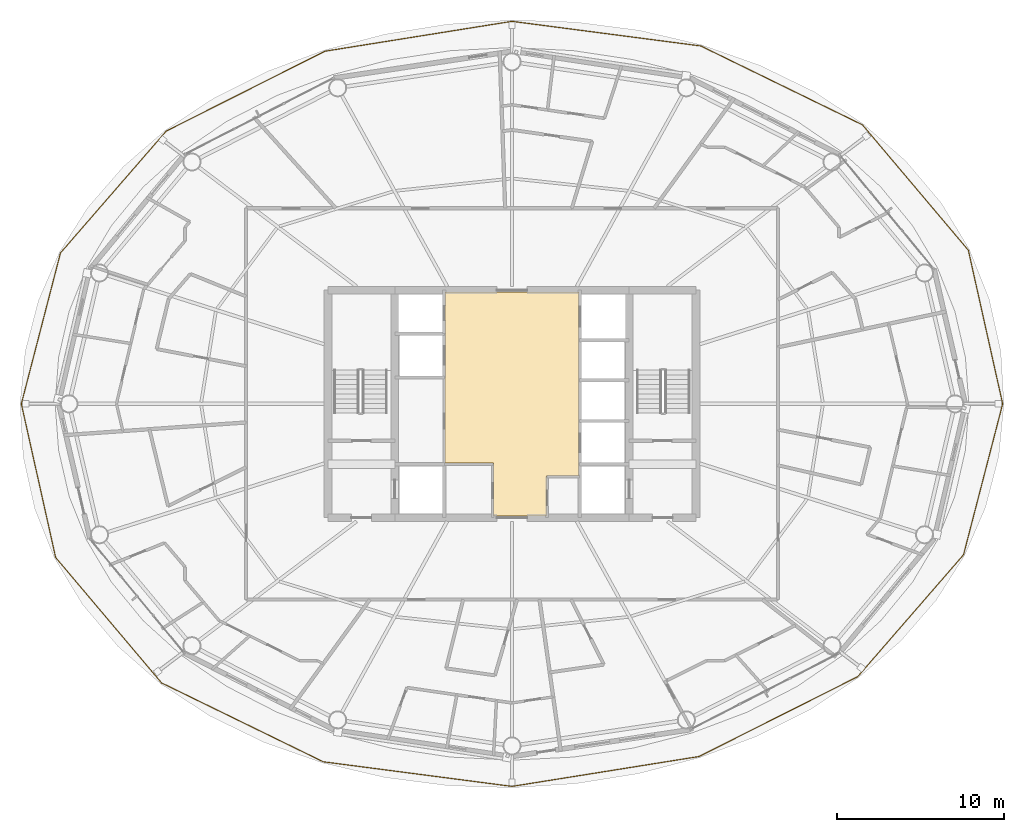
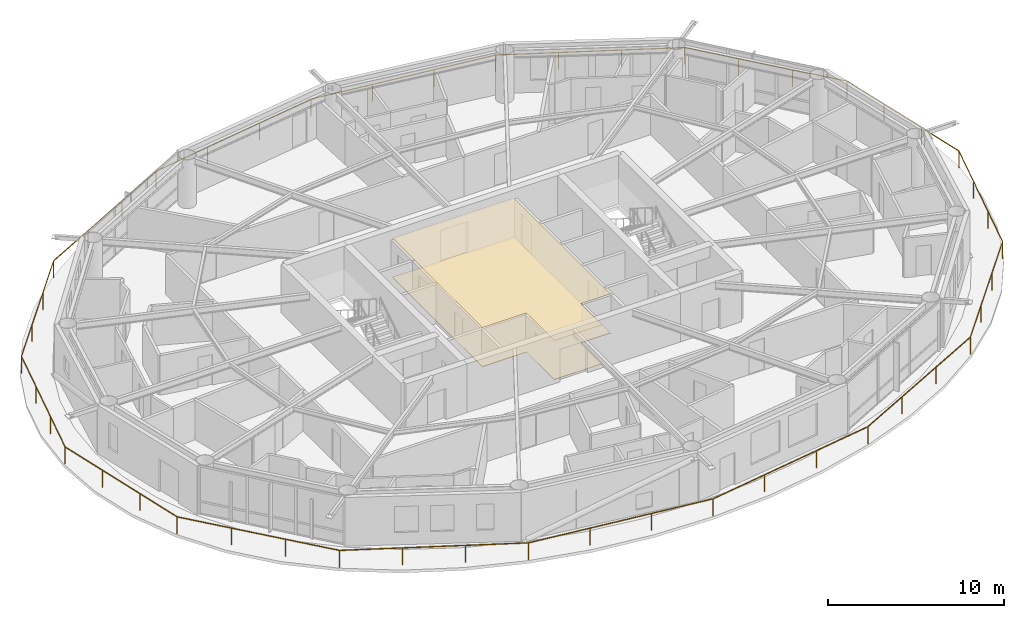
# One storey, part 29 of 30: 2 coverings, 1 railing.
"""IFC4 building model written with IfcOpenShell, lengths in metres."""

from ifc_helpers import new_model, si_unit, direction, frame, origin, origin_2d, place, context, subcontext, project, spatial, polyline, rectangle, outline, extrude, material, layer, layer_set, type_object, element, save


model = new_model("IFC4")

# Units and contexts
model_context = context("Model", 3, precision=1e-05, world=origin(), true_north=direction((0.0, 1.0)))
body_context = subcontext(model_context, "Body", "Model", "MODEL_VIEW")
ifc_project = project(units=[si_unit("LENGTHUNIT", "METRE"), si_unit("AREAUNIT", "SQUARE_METRE"), si_unit("VOLUMEUNIT", "CUBIC_METRE"), si_unit("PLANEANGLEUNIT", "RADIAN"), si_unit("MASSUNIT", "GRAM", prefix="KILO")], contexts=[model_context])

# Site, building, storey
site_placement = place(None, origin())
site = spatial("IfcSite", under=ifc_project, at=site_placement, CompositionType="ELEMENT")
building_placement = place(site_placement, origin())
building = spatial("IfcBuilding", under=site, at=building_placement, Name="Sarneth Arch Tower", CompositionType="ELEMENT")
storey_placement = place(building_placement, frame((0.0, 0.0, 168.60009765625)))
storey = spatial("IfcBuildingStorey", under=building, at=storey_placement, Name="L42", CompositionType="ELEMENT", Elevation=168.60009765625)

# Coverings
ifc_material_1 = material(Name="Perforated acoustic gypsum ceiling board")
ifc_layer_1 = layer(ifc_material_1, 0.02490234375)
ifc_layer_set_1 = layer_set([ifc_layer_1], Name="Perforated acoustic gypsum ceiling board")
covering_type_1 = type_object("IfcCoveringType", Name="COV-CEIL-GYP", PredefinedType="CEILING", material=ifc_layer_set_1)
covering_1_placement = place(storey_placement, frame((0.0, 0.0, 2.7099609375)))
element("IfcCovering", 1, at=covering_1_placement, inside=storey, type_object=covering_type_1, Name="L42 Lift lobby acoustic ceiling", PredefinedType="CEILING", context=body_context, shape_type="SweptSolid", body=[
    extrude(outline(polyline([(52.0, 37.699951171875), (50.050048828125, 37.699951171875), (50.050048828125, 35.300048828125), (46.89990234375, 35.300048828125), (46.89990234375, 38.449951171875), (44.0, 38.449951171875), (44.0, 48.699951171875), (52.0, 48.699951171875), (52.0, 37.699951171875)])), origin(), (0.0, 0.0, 1.0), 0.030029296875),
])
ifc_material_2 = material(Name="Honed granite stone flooring", Category="masonry")
ifc_layer_2 = layer(ifc_material_2, 0.030029296875)
ifc_layer_set_2 = layer_set([ifc_layer_2], Name="Honed granite stone flooring")
covering_type_2 = type_object("IfcCoveringType", Name="COV-FLR-STONE", PredefinedType="FLOORING", material=ifc_layer_set_2)
covering_2_placement = place(storey_placement, origin())
element("IfcCovering", 2, at=covering_2_placement, inside=storey, type_object=covering_type_2, Name="L42 Lift lobby granite flooring", PredefinedType="FLOORING", context=body_context, shape_type="SweptSolid", body=[
    extrude(outline(polyline([(52.0, 37.699951171875), (50.050048828125, 37.699951171875), (50.050048828125, 35.300048828125), (46.89990234375, 35.300048828125), (46.89990234375, 38.449951171875), (44.0, 38.449951171875), (44.0, 48.699951171875), (52.0, 48.699951171875), (52.0, 37.699951171875)])), origin(), (0.0, 0.0, 1.0), 0.02978515625),
])

# Railing
ifc_material_3 = material(Name="Laminated structural glass infill with Stainless Steel 316 top rail and posts", Category="steel")
railing_type = type_object("IfcRailingType", Name="RAIL-BALC-1200", PredefinedType="BALUSTRADE", material=ifc_material_3)
railing_placement = place(storey_placement, frame((77.333984375, 42.0, 0.0)))
element("IfcRailing", 3, at=railing_placement, inside=storey, type_object=railing_type, Name="L42 Helical balcony glass balustrade", PredefinedType="BALUSTRADE", context=body_context, shape_type="SweptSolid", body=[
    extrude(rectangle(XDim=0.048095703125, YDim=0.048095703125, at=origin_2d()), frame((0.0, 0.0, 1.17578125), z_axis=(-0.217985201652, 0.975952074572, 0.0), x_axis=(-0.975952074572, -0.217985201652, 0.0)), (0.0, 0.0, 1.0), 9.41015625),
    extrude(rectangle(XDim=0.048095703125, YDim=0.048095703125, at=origin_2d()), frame((-2.05126953125, 9.183837890625, 1.17578125), z_axis=(-0.645176945551, 0.764033185752, 0.0), x_axis=(-0.764033185752, -0.645176945551, 0.0)), (0.0, 0.0, 1.0), 9.814453125),
    extrude(rectangle(XDim=0.048095703125, YDim=0.048095703125, at=origin_2d()), frame((-8.38330078125, 16.682373046875, 1.17578125), z_axis=(-0.898770627685, 0.438419158809, 0.0), x_axis=(-0.438419158809, -0.898770627685, 0.0)), (0.0, 0.0, 1.0), 10.753173828125),
    extrude(rectangle(XDim=0.048095703125, YDim=0.048095703125, at=origin_2d()), frame((-18.0478515625, 21.396728515625, 1.17578125), z_axis=(-0.991596942127, 0.129365777407, 0.0), x_axis=(-0.129365777407, -0.991596942127, 0.0)), (0.0, 0.0, 1.0), 11.3818359375),
    extrude(rectangle(XDim=0.048095703125, YDim=0.048095703125, at=origin_2d()), frame((-29.333984375, 22.869140625, 1.17578125), z_axis=(-0.98746925952, -0.157811474564, 0.0), x_axis=(0.157811474564, -0.98746925952, 0.0)), (0.0, 0.0, 1.0), 11.328857421875),
    extrude(rectangle(XDim=0.048095703125, YDim=0.048095703125, at=origin_2d()), frame((-40.52099609375, 21.081298828125, 1.17578125), z_axis=(-0.89324658743, -0.449567051779, 0.0), x_axis=(0.449567051779, -0.89324658743, 0.0)), (0.0, 0.0, 1.0), 10.61572265625),
    extrude(rectangle(XDim=0.048095703125, YDim=0.048095703125, at=origin_2d()), frame((-50.00341796875, 16.308837890625, 1.17578125), z_axis=(-0.655538212391, -0.755162003874, 0.0), x_axis=(0.755162003874, -0.655538212391, 0.0)), (0.0, 0.0, 1.0), 9.648193359375),
    extrude(rectangle(XDim=0.048095703125, YDim=0.048095703125, at=origin_2d()), frame((-56.328125, 9.02294921875, 1.17578125), z_axis=(-0.251018513664, -0.967982285891, 0.0), x_axis=(0.967982285891, -0.251018513664, 0.0)), (0.0, 0.0, 1.0), 9.3212890625),
    extrude(rectangle(XDim=0.048095703125, YDim=0.048095703125, at=origin_2d()), frame((-58.66796875, 0.0, 1.17578125), z_axis=(0.217985201652, -0.975952074572, 0.0), x_axis=(0.975952074572, 0.217985201652, 0.0)), (0.0, 0.0, 1.0), 9.41015625),
    extrude(rectangle(XDim=0.048095703125, YDim=0.048095703125, at=origin_2d()), frame((-56.61669921875, -9.183837890625, 1.17578125), z_axis=(0.645176945551, -0.764033185752, 0.0), x_axis=(0.764033185752, 0.645176945551, 0.0)), (0.0, 0.0, 1.0), 9.814453125),
    extrude(rectangle(XDim=0.048095703125, YDim=0.048095703125, at=origin_2d()), frame((-50.28466796875, -16.682373046875, 1.17578125), z_axis=(0.898770627685, -0.438419158809, 0.0), x_axis=(0.438419158809, 0.898770627685, 0.0)), (0.0, 0.0, 1.0), 10.753173828125),
    extrude(rectangle(XDim=0.048095703125, YDim=0.048095703125, at=origin_2d()), frame((-40.6201171875, -21.396728515625, 1.17578125), z_axis=(0.991596942127, -0.129365777407, 0.0), x_axis=(0.129365777407, 0.991596942127, 0.0)), (0.0, 0.0, 1.0), 11.3818359375),
    extrude(rectangle(XDim=0.048095703125, YDim=0.048095703125, at=origin_2d()), frame((-29.333984375, -22.869140625, 1.17578125), z_axis=(0.98746925952, 0.157811474564, 0.0), x_axis=(-0.157811474564, 0.98746925952, 0.0)), (0.0, 0.0, 1.0), 11.328857421875),
    extrude(rectangle(XDim=0.048095703125, YDim=0.048095703125, at=origin_2d()), frame((-18.14697265625, -21.081298828125, 1.17578125), z_axis=(0.89324658743, 0.449567051779, 0.0), x_axis=(-0.449567051779, 0.89324658743, 0.0)), (0.0, 0.0, 1.0), 10.61572265625),
    extrude(rectangle(XDim=0.048095703125, YDim=0.048095703125, at=origin_2d()), frame((-8.66455078125, -16.308837890625, 1.17578125), z_axis=(0.655538212391, 0.755162003874, 0.0), x_axis=(-0.755162003874, 0.655538212391, 0.0)), (0.0, 0.0, 1.0), 9.648193359375),
    extrude(rectangle(XDim=0.048095703125, YDim=0.048095703125, at=origin_2d()), frame((-2.33984375, -9.02294921875, 1.17578125), z_axis=(0.251018513664, 0.967982285891, 0.0), x_axis=(-0.967982285891, 0.251018513664, 0.0)), (0.0, 0.0, 1.0), 9.3212890625),
    extrude(rectangle(XDim=0.0419921875, YDim=0.0419921875, at=origin_2d()), origin(), (0.0, 0.0, 1.0), 1.15185546875),
    extrude(rectangle(XDim=0.0419921875, YDim=0.0419921875, at=origin_2d()), frame((-0.683837890625, 3.061279296875, 0.0)), (0.0, 0.0, 1.0), 1.15185546875),
    extrude(rectangle(XDim=0.0419921875, YDim=0.0419921875, at=origin_2d()), frame((-1.367431640625, 6.12255859375, 0.0)), (0.0, 0.0, 1.0), 1.15185546875),
    extrude(rectangle(XDim=0.0419921875, YDim=0.0419921875, at=origin_2d()), frame((-2.05126953125, 9.183837890625, 0.0)), (0.0, 0.0, 1.0), 1.15185546875),
    extrude(rectangle(XDim=0.0419921875, YDim=0.0419921875, at=origin_2d()), frame((-4.161865234375, 11.683349609375, 0.0)), (0.0, 0.0, 1.0), 1.15185546875),
    extrude(rectangle(XDim=0.0419921875, YDim=0.0419921875, at=origin_2d()), frame((-6.272705078125, 14.182861328125, 0.0)), (0.0, 0.0, 1.0), 1.15185546875),
    extrude(rectangle(XDim=0.0419921875, YDim=0.0419921875, at=origin_2d()), frame((-8.38330078125, 16.682373046875, 0.0)), (0.0, 0.0, 1.0), 1.15185546875),
    extrude(rectangle(XDim=0.0419921875, YDim=0.0419921875, at=origin_2d()), frame((-11.604736328125, 18.25390625, 0.0)), (0.0, 0.0, 1.0), 1.15185546875),
    extrude(rectangle(XDim=0.0419921875, YDim=0.0419921875, at=origin_2d()), frame((-14.826416015625, 19.8251953125, 0.0)), (0.0, 0.0, 1.0), 1.15185546875),
    extrude(rectangle(XDim=0.0419921875, YDim=0.0419921875, at=origin_2d()), frame((-18.0478515625, 21.396728515625, 0.0)), (0.0, 0.0, 1.0), 1.15185546875),
    extrude(rectangle(XDim=0.0419921875, YDim=0.0419921875, at=origin_2d()), frame((-21.809814453125, 21.887451171875, 0.0)), (0.0, 0.0, 1.0), 1.15185546875),
    extrude(rectangle(XDim=0.0419921875, YDim=0.0419921875, at=origin_2d()), frame((-25.572021484375, 22.37841796875, 0.0)), (0.0, 0.0, 1.0), 1.15185546875),
    extrude(rectangle(XDim=0.0419921875, YDim=0.0419921875, at=origin_2d()), frame((-29.333984375, 22.869140625, 0.0)), (0.0, 0.0, 1.0), 1.15185546875),
    extrude(rectangle(XDim=0.0419921875, YDim=0.0419921875, at=origin_2d()), frame((-33.06298828125, 22.273193359375, 0.0)), (0.0, 0.0, 1.0), 1.15185546875),
    extrude(rectangle(XDim=0.0419921875, YDim=0.0419921875, at=origin_2d()), frame((-36.7919921875, 21.67724609375, 0.0)), (0.0, 0.0, 1.0), 1.15185546875),
    extrude(rectangle(XDim=0.0419921875, YDim=0.0419921875, at=origin_2d()), frame((-40.52099609375, 21.081298828125, 0.0)), (0.0, 0.0, 1.0), 1.15185546875),
    extrude(rectangle(XDim=0.0419921875, YDim=0.0419921875, at=origin_2d()), frame((-43.681884765625, 19.490478515625, 0.0)), (0.0, 0.0, 1.0), 1.15185546875),
    extrude(rectangle(XDim=0.0419921875, YDim=0.0419921875, at=origin_2d()), frame((-46.842529296875, 17.899658203125, 0.0)), (0.0, 0.0, 1.0), 1.15185546875),
    extrude(rectangle(XDim=0.0419921875, YDim=0.0419921875, at=origin_2d()), frame((-50.00341796875, 16.308837890625, 0.0)), (0.0, 0.0, 1.0), 1.15185546875),
    extrude(rectangle(XDim=0.0419921875, YDim=0.0419921875, at=origin_2d()), frame((-52.111572265625, 13.880126953125, 0.0)), (0.0, 0.0, 1.0), 1.15185546875),
    extrude(rectangle(XDim=0.0419921875, YDim=0.0419921875, at=origin_2d()), frame((-54.219970703125, 11.45166015625, 0.0)), (0.0, 0.0, 1.0), 1.15185546875),
    extrude(rectangle(XDim=0.0419921875, YDim=0.0419921875, at=origin_2d()), frame((-56.328125, 9.02294921875, 0.0)), (0.0, 0.0, 1.0), 1.15185546875),
    extrude(rectangle(XDim=0.0419921875, YDim=0.0419921875, at=origin_2d()), frame((-57.108154296875, 6.015380859375, 0.0)), (0.0, 0.0, 1.0), 1.15185546875),
    extrude(rectangle(XDim=0.0419921875, YDim=0.0419921875, at=origin_2d()), frame((-57.887939453125, 3.007568359375, 0.0)), (0.0, 0.0, 1.0), 1.15185546875),
    extrude(rectangle(XDim=0.0419921875, YDim=0.0419921875, at=origin_2d()), frame((-58.66796875, 0.0, 0.0)), (0.0, 0.0, 1.0), 1.15185546875),
    extrude(rectangle(XDim=0.0419921875, YDim=0.0419921875, at=origin_2d()), frame((-57.984130859375, -3.061279296875, 0.0)), (0.0, 0.0, 1.0), 1.15185546875),
    extrude(rectangle(XDim=0.0419921875, YDim=0.0419921875, at=origin_2d()), frame((-57.300537109375, -6.12255859375, 0.0)), (0.0, 0.0, 1.0), 1.15185546875),
    extrude(rectangle(XDim=0.0419921875, YDim=0.0419921875, at=origin_2d()), frame((-56.61669921875, -9.183837890625, 0.0)), (0.0, 0.0, 1.0), 1.15185546875),
    extrude(rectangle(XDim=0.0419921875, YDim=0.0419921875, at=origin_2d()), frame((-54.506103515625, -11.683349609375, 0.0)), (0.0, 0.0, 1.0), 1.15185546875),
    extrude(rectangle(XDim=0.0419921875, YDim=0.0419921875, at=origin_2d()), frame((-52.395263671875, -14.182861328125, 0.0)), (0.0, 0.0, 1.0), 1.15185546875),
    extrude(rectangle(XDim=0.0419921875, YDim=0.0419921875, at=origin_2d()), frame((-50.28466796875, -16.682373046875, 0.0)), (0.0, 0.0, 1.0), 1.15185546875),
    extrude(rectangle(XDim=0.0419921875, YDim=0.0419921875, at=origin_2d()), frame((-47.063232421875, -18.25390625, 0.0)), (0.0, 0.0, 1.0), 1.15185546875),
    extrude(rectangle(XDim=0.0419921875, YDim=0.0419921875, at=origin_2d()), frame((-43.841552734375, -19.8251953125, 0.0)), (0.0, 0.0, 1.0), 1.15185546875),
    extrude(rectangle(XDim=0.0419921875, YDim=0.0419921875, at=origin_2d()), frame((-40.6201171875, -21.396728515625, 0.0)), (0.0, 0.0, 1.0), 1.15185546875),
    extrude(rectangle(XDim=0.0419921875, YDim=0.0419921875, at=origin_2d()), frame((-36.858154296875, -21.887451171875, 0.0)), (0.0, 0.0, 1.0), 1.15185546875),
    extrude(rectangle(XDim=0.0419921875, YDim=0.0419921875, at=origin_2d()), frame((-33.095947265625, -22.37841796875, 0.0)), (0.0, 0.0, 1.0), 1.15185546875),
    extrude(rectangle(XDim=0.0419921875, YDim=0.0419921875, at=origin_2d()), frame((-29.333984375, -22.869140625, 0.0)), (0.0, 0.0, 1.0), 1.15185546875),
    extrude(rectangle(XDim=0.0419921875, YDim=0.0419921875, at=origin_2d()), frame((-25.60498046875, -22.273193359375, 0.0)), (0.0, 0.0, 1.0), 1.15185546875),
    extrude(rectangle(XDim=0.0419921875, YDim=0.0419921875, at=origin_2d()), frame((-21.8759765625, -21.67724609375, 0.0)), (0.0, 0.0, 1.0), 1.15185546875),
    extrude(rectangle(XDim=0.0419921875, YDim=0.0419921875, at=origin_2d()), frame((-18.14697265625, -21.081298828125, 0.0)), (0.0, 0.0, 1.0), 1.15185546875),
    extrude(rectangle(XDim=0.0419921875, YDim=0.0419921875, at=origin_2d()), frame((-14.986083984375, -19.490478515625, 0.0)), (0.0, 0.0, 1.0), 1.15185546875),
    extrude(rectangle(XDim=0.0419921875, YDim=0.0419921875, at=origin_2d()), frame((-11.825439453125, -17.899658203125, 0.0)), (0.0, 0.0, 1.0), 1.15185546875),
    extrude(rectangle(XDim=0.0419921875, YDim=0.0419921875, at=origin_2d()), frame((-8.66455078125, -16.308837890625, 0.0)), (0.0, 0.0, 1.0), 1.15185546875),
    extrude(rectangle(XDim=0.0419921875, YDim=0.0419921875, at=origin_2d()), frame((-6.556396484375, -13.880126953125, 0.0)), (0.0, 0.0, 1.0), 1.15185546875),
    extrude(rectangle(XDim=0.0419921875, YDim=0.0419921875, at=origin_2d()), frame((-4.447998046875, -11.45166015625, 0.0)), (0.0, 0.0, 1.0), 1.15185546875),
    extrude(rectangle(XDim=0.0419921875, YDim=0.0419921875, at=origin_2d()), frame((-2.33984375, -9.02294921875, 0.0)), (0.0, 0.0, 1.0), 1.15185546875),
    extrude(rectangle(XDim=0.0419921875, YDim=0.0419921875, at=origin_2d()), frame((-1.559814453125, -6.015380859375, 0.0)), (0.0, 0.0, 1.0), 1.15185546875),
    extrude(rectangle(XDim=0.0419921875, YDim=0.0419921875, at=origin_2d()), frame((-0.780029296875, -3.007568359375, 0.0)), (0.0, 0.0, 1.0), 1.15185546875),
])

save(model, "model.ifc")
